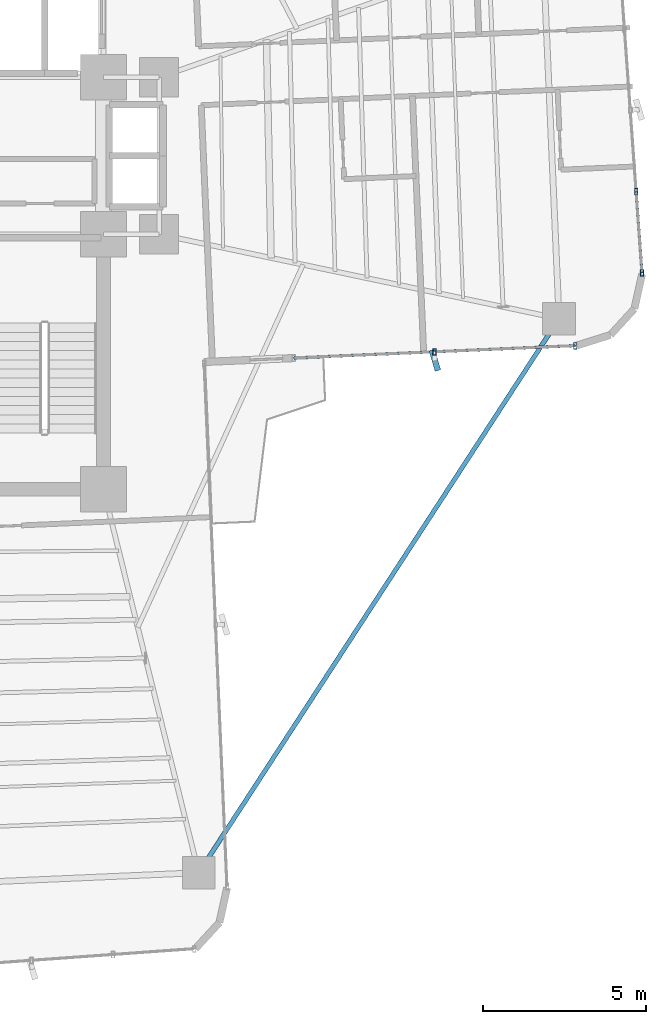
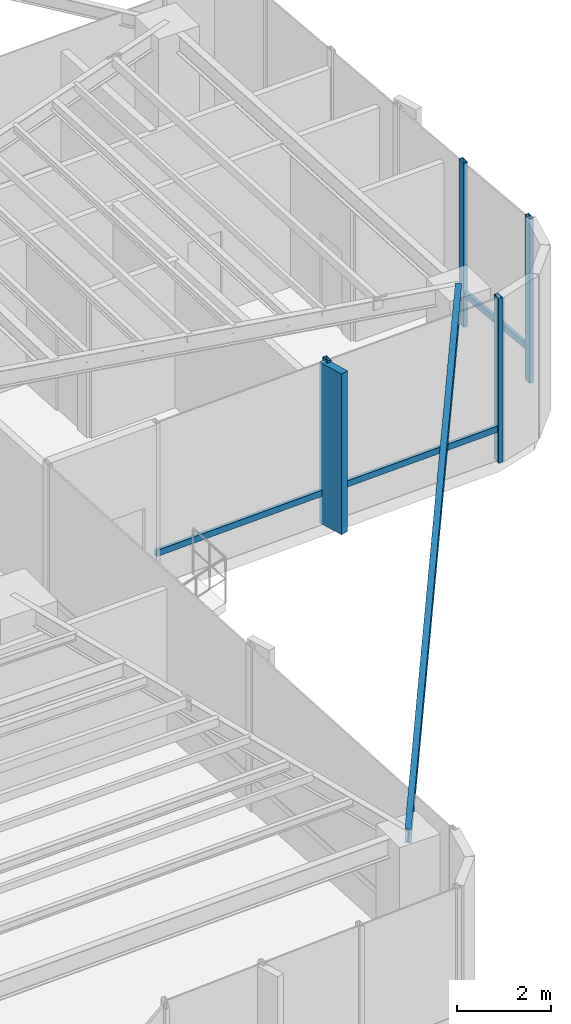
# One storey, part 8 of 23: 8 members, 1 beam, 2 elements without a shape of their own.
"""IFC4 building model written with IfcOpenShell, lengths in metres."""

import ifcopenshell
import ifcopenshell.guid

model = None  # the IFC model being written
_history = None  # IfcOwnerHistory: only IFC2X3 demands one
_inside = {}  # id of a spatial element -> (the spatial element, [elements in it])
_under = {}  # id of a project, library or spatial element -> (it, [spatial elements below it])
_declared = {}  # id of a project -> (the project, [libraries it declares])
_typed = {}  # id of a type object -> (the type object, [elements of that type])
_made_of = {}  # id of a material, layer set ... -> (it, [elements and type objects made of it])


def new_model(schema):
    """Start an empty IFC model of exactly this schema.

    Asked for "IFC4X3", IfcOpenShell would pick the latest addendum, in which some entities
    have other attributes; the version numbers below select the first issue.
    IFC2X3 requires an IfcOwnerHistory on every rooted entity: one is made here for all.
    """
    global model, _history
    if schema == "IFC4X3":
        model = ifcopenshell.file(schema_version=(4, 3, 0, 0))
    else:
        model = ifcopenshell.file(schema=schema)
    _inside.clear()
    _under.clear()
    _declared.clear()
    _typed.clear()
    _made_of.clear()
    _history = None
    if model.schema == "IFC2X3":
        org = make("IfcOrganization", Name="unknown")
        user = make(
            "IfcPersonAndOrganization",
            ThePerson=make("IfcPerson", FamilyName="unknown"),
            TheOrganization=org,
        )
        app = make(
            "IfcApplication",
            ApplicationDeveloper=org,
            Version="unknown",
            ApplicationFullName="unknown",
            ApplicationIdentifier="unknown",
        )
        _history = make(
            "IfcOwnerHistory",
            OwningUser=user,
            OwningApplication=app,
            ChangeAction="ADDED",
            CreationDate=0,
        )
    return model


def make(cls, **values):
    """One entity of the class cls with the attributes given. An attribute that is None is left unset."""
    return model.create_entity(
        cls, **{name: value for name, value in values.items() if value is not None}
    )


def rooted(cls, **values):
    """An entity with a GlobalId (a new one), such as an element, a storey or a relation."""
    return make(cls, GlobalId=ifcopenshell.guid.new(), OwnerHistory=_history, **values)


def si_unit(unit_type, name, prefix=None):
    """IfcSIUnit, for example si_unit("LENGTHUNIT", "METRE", prefix="MILLI")."""
    return make("IfcSIUnit", UnitType=unit_type, Prefix=prefix, Name=name)


def assignment(units):
    """IfcUnitAssignment: the units of a project."""
    return None if units is None else make("IfcUnitAssignment", Units=units)


def point(xyz):
    """IfcCartesianPoint."""
    return None if xyz is None else make("IfcCartesianPoint", Coordinates=xyz)


def direction(xyz):
    """IfcDirection."""
    return None if xyz is None else make("IfcDirection", DirectionRatios=xyz)


def frame(location, z_axis=None, x_axis=None):
    """IfcAxis2Placement3D, a coordinate frame: its origin and axes. An axis left out is left unset."""
    return make(
        "IfcAxis2Placement3D",
        Location=point(location),
        Axis=direction(z_axis),
        RefDirection=direction(x_axis),
    )


def frame_2d(location, x_axis=None):
    """IfcAxis2Placement2D, a coordinate frame in the plane: its origin and x axis."""
    return make(
        "IfcAxis2Placement2D", Location=point(location), RefDirection=direction(x_axis)
    )


def origin():
    """The frame at (0, 0, 0) with its axes left unset."""
    return frame((0.0, 0.0, 0.0))


def origin_2d():
    """The frame at (0, 0) in the plane with its x axis left unset."""
    return frame_2d((0.0, 0.0))


def place(relative_to, where):
    """IfcLocalPlacement: puts the frame where relative to a parent placement (None: the world)."""
    return make(
        "IfcLocalPlacement", PlacementRelTo=relative_to, RelativePlacement=where
    )


def context(
    kind, dimensions, precision=None, world=None, true_north=None, identifier=None
):
    """IfcGeometricRepresentationContext, for example the 3D "Model" context."""
    return make(
        "IfcGeometricRepresentationContext",
        ContextIdentifier=identifier,
        ContextType=kind,
        CoordinateSpaceDimension=dimensions,
        Precision=precision,
        WorldCoordinateSystem=world,
        TrueNorth=true_north,
    )


def subcontext(parent, identifier, kind, view, scale=None):
    """IfcGeometricRepresentationSubContext, for example "Body" below "Model"."""
    return make(
        "IfcGeometricRepresentationSubContext",
        ContextIdentifier=identifier,
        ContextType=kind,
        ParentContext=parent,
        TargetScale=scale,
        TargetView=view,
    )


def project(units=None, contexts=None):
    """IfcProject with its units and contexts."""
    return rooted(
        "IfcProject",
        Name="project",
        RepresentationContexts=contexts,
        UnitsInContext=assignment(units),
    )


def spatial(cls, under=None, at=None, **own):
    """A site, building, storey or space (cls), placed at a placement, below another one or the project."""
    s = rooted(cls, ObjectPlacement=at, **own)
    if under is not None:
        _under.setdefault(under.id(), (under, []))[1].append(s)
    return s


def profile(cls, at=None, kind="AREA", **sizes):
    """A parametric profile (cls). Its sizes go by their IFC names, for example OverallWidth=200.0."""
    return make(cls, ProfileType=kind, Position=at, **sizes)


def rectangle(**sizes):
    """IfcRectangleProfileDef."""
    return profile("IfcRectangleProfileDef", **sizes)


def hollow_rectangle(**sizes):
    """IfcRectangleHollowProfileDef."""
    return profile("IfcRectangleHollowProfileDef", **sizes)


def i_section(**sizes):
    """IfcIShapeProfileDef."""
    return profile("IfcIShapeProfileDef", **sizes)


def extrude(swept, where, along, depth):
    """IfcExtrudedAreaSolid: the profile swept, set in the frame where, extruded along a direction by depth."""
    return make(
        "IfcExtrudedAreaSolid",
        SweptArea=swept,
        Position=where,
        ExtrudedDirection=direction(along),
        Depth=depth,
    )


def shape(context_of_items, identifier, shape_type, items):
    """IfcShapeRepresentation: the items that make up one representation, for example the "Body"."""
    return make(
        "IfcShapeRepresentation",
        ContextOfItems=context_of_items,
        RepresentationIdentifier=identifier,
        RepresentationType=shape_type,
        Items=items,
    )


def source(mapping_origin, context_of_items, identifier, shape_type, items):
    """IfcRepresentationMap: a shape defined once, which mapped items show again and again."""
    return make(
        "IfcRepresentationMap",
        MappingOrigin=mapping_origin,
        MappedRepresentation=shape(context_of_items, identifier, shape_type, items),
    )


def transform(
    local_origin,
    x_axis=None,
    y_axis=None,
    z_axis=None,
    scale=None,
    scale2=None,
    scale3=None,
    uniform=True,
):
    """IfcCartesianTransformationOperator3D, or its non-uniform kind. x_axis, y_axis, z_axis: its Axis1, 2, 3."""
    if uniform:
        return make(
            "IfcCartesianTransformationOperator3D",
            Axis1=direction(x_axis),
            Axis2=direction(y_axis),
            LocalOrigin=point(local_origin),
            Scale=scale,
            Axis3=direction(z_axis),
        )
    return make(
        "IfcCartesianTransformationOperator3DnonUniform",
        Axis1=direction(x_axis),
        Axis2=direction(y_axis),
        LocalOrigin=point(local_origin),
        Scale=scale,
        Axis3=direction(z_axis),
        Scale2=scale2,
        Scale3=scale3,
    )


def mapped(mapping_source, mapping_target):
    """IfcMappedItem: shows the shape of a source again, moved by a transform."""
    return make(
        "IfcMappedItem", MappingSource=mapping_source, MappingTarget=mapping_target
    )


def material(Name=None, Category=None):
    """IfcMaterial."""
    return make("IfcMaterial", Name=Name, Category=Category)


def material_profile(
    of_material, cross_section, Name=None, Category=None, Priority=None
):
    """IfcMaterialProfile: a cross section and its material."""
    return make(
        "IfcMaterialProfile",
        Name=Name,
        Material=of_material,
        Profile=cross_section,
        Priority=Priority,
        Category=Category,
    )


def profile_set(profiles, Name=None, composite=None):
    """IfcMaterialProfileSet."""
    return make(
        "IfcMaterialProfileSet",
        Name=Name,
        MaterialProfiles=profiles,
        CompositeProfile=composite,
    )


def made_of(thing, what):
    """Note that an element or type object is made of a material, layer set ...; save() writes the relation."""
    if what is not None:
        _made_of.setdefault(what.id(), (what, []))[1].append(thing)
    return thing


def type_object(cls, material=None, **own):
    """A type object (cls), such as IfcWallType, which elements share."""
    return made_of(rooted(cls, **own), material)


def element(
    cls,
    number,
    at=None,
    inside=None,
    cuts=None,
    type_object=None,
    material=None,
    context=None,
    identifier="Body",
    shape_type=None,
    held_by="IfcProductDefinitionShape",
    body=None,
    shapes=None,
    **own,
):
    """One element of the class cls, such as IfcWall. Its Tag is "e" and its number.

    at: its placement. inside: the storey or other place that contains it. cuts: it is an
    opening in that element (IfcRelVoidsElement). A single representation is given by context,
    identifier, shape_type and body (its items); several are given by shapes. held_by: the class
    of the entity that holds the representations. save() writes the other relations.
    """
    e = rooted(cls, Tag="e%d" % number, ObjectPlacement=at, **own)
    if body is not None:
        shapes = [shape(context, identifier, shape_type, body)]
    if shapes is not None:
        e.Representation = make(held_by, Representations=shapes)
    if inside is not None:
        _inside.setdefault(inside.id(), (inside, []))[1].append(e)
    if cuts is not None:
        rooted(
            "IfcRelVoidsElement", RelatingBuildingElement=cuts, RelatedOpeningElement=e
        )
    if type_object is not None:
        _typed.setdefault(type_object.id(), (type_object, []))[1].append(e)
    return made_of(e, material)


def aggregate(whole, parts):
    """IfcRelAggregates: a whole, such as a stair, and the parts it consists of."""
    return rooted("IfcRelAggregates", RelatingObject=whole, RelatedObjects=parts)


def save(model, path):
    """Write the relations noted so far, then the file.

    IfcRelAggregates (storeys below a building ...), IfcRelContainedInSpatialStructure (elements
    in a storey), IfcRelDefinesByType, IfcRelAssociatesMaterial and IfcRelDeclares: one each for
    every whole, place, type object, material and project.
    """
    for whole, parts in _under.values():
        aggregate(whole, parts)
    for where, things in _inside.values():
        rooted(
            "IfcRelContainedInSpatialStructure",
            RelatedElements=things,
            RelatingStructure=where,
        )
    for kind, things in _typed.values():
        rooted("IfcRelDefinesByType", RelatedObjects=things, RelatingType=kind)
    for what, things in _made_of.values():
        rooted("IfcRelAssociatesMaterial", RelatedObjects=things, RelatingMaterial=what)
    for by, libraries in _declared.values():
        rooted("IfcRelDeclares", RelatingContext=by, RelatedDefinitions=libraries)
    model.write(path)


model = new_model("IFC4")

# Units and contexts
model_context = context("Model", 3, precision=1e-05, world=origin(), true_north=direction((0.0, 1.0)))
body_context = subcontext(model_context, "Body", "Model", "MODEL_VIEW")
ifc_project = project(units=[si_unit("LENGTHUNIT", "METRE"), si_unit("AREAUNIT", "SQUARE_METRE"), si_unit("VOLUMEUNIT", "CUBIC_METRE"), si_unit("PLANEANGLEUNIT", "RADIAN"), si_unit("MASSUNIT", "GRAM", prefix="KILO")], contexts=[model_context])

# Site, building, storey
site_placement = place(None, origin())
site = spatial("IfcSite", under=ifc_project, at=site_placement, CompositionType="ELEMENT")
building_placement = place(site_placement, origin())
building = spatial("IfcBuilding", under=site, at=building_placement, Name="Sahyath Konkavel Grand Hotel", CompositionType="ELEMENT")
storey_placement = place(building_placement, frame((0.0, 0.0, 106.949951171875)))
storey = spatial("IfcBuildingStorey", under=building, at=storey_placement, Name="L29", CompositionType="ELEMENT", Elevation=106.949951171875)

# Beam
ifc_material_1 = material(Name="Steel E350", Category="steel")
ifc_material_profile_1 = material_profile(ifc_material_1, i_section(OverallWidth=0.139892578125, OverallDepth=0.35009765625, WebThickness=0.008056640625, FlangeThickness=0.01416015625, FilletRadius=0.013916015625, at=origin_2d()), Name="ISMB 350")
ifc_profile_set_1 = profile_set([ifc_material_profile_1], Name="Steel E350")
beam_type = type_object("IfcBeamType", Name="BM-ISMB350", PredefinedType="BEAM", material=ifc_profile_set_1)
shared_shape_1 = source(origin(), body_context, "Body", "SweptSolid", [
    extrude(i_section(OverallWidth=0.139892578125, OverallDepth=0.35009765625, WebThickness=0.008056640625, FlangeThickness=0.01416015625, FilletRadius=0.013916015625, at=origin_2d()), origin(), (0.0, 0.0, 1.0), 20.21533203125),
])
beam_placement = place(storey_placement, frame((17.734130859375, -4.981201171875, 4.0849609375), z_axis=(-0.545191244931, -0.838311700056, 0.0), x_axis=(0.838311700056, -0.545191244931, 0.0)))
element("IfcBeam", 1, at=beam_placement, inside=storey, type_object=beam_type, Name="L29 Re-Entrant Tie Beam SE", PredefinedType="BEAM", context=body_context, shape_type="MappedRepresentation", body=[
    mapped(shared_shape_1, transform((0.0, 0.0, 0.0), scale=1.0)),
])

# Curtain wall, members
ifc_material_2 = material(Name="Anodised Bronze Aluminium & Low-E Glazing", Category="aluminium")
curtain_wall_type = type_object("IfcCurtainWallType", Name="CW-SKYLOBBY", PredefinedType="NOTDEFINED", material=ifc_material_2)
curtain_wall_1_placement = place(storey_placement, origin())
curtain_wall_1 = element("IfcCurtainWall", 2, at=curtain_wall_1_placement, inside=storey, type_object=curtain_wall_type, Name="L29 Unitised Curtain Wall F0", PredefinedType="NOTDEFINED")
ifc_material_3 = material(Name="Anodised Bronze Aluminium", Category="aluminium")
ifc_material_profile_2 = material_profile(ifc_material_3, hollow_rectangle(XDim=0.10009765625, YDim=0.199951171875, WallThickness=0.008056640625, at=origin_2d()), Name="RHS 200x100x8")
ifc_profile_set_2 = profile_set([ifc_material_profile_2], Name="Anodised Bronze Aluminium")
member_type_1 = type_object("IfcMemberType", Name="CW-MUL-200", PredefinedType="MULLION", material=ifc_profile_set_2)
shared_shape_2 = source(origin(), body_context, "Body", "SweptSolid", [
    extrude(hollow_rectangle(XDim=0.10009765625, YDim=0.199951171875, WallThickness=0.008056640625, at=origin_2d()), origin(), (0.0, 0.0, 1.0), 4.260009765625),
])
member_1_placement = place(storey_placement, frame((13.9248046875, -5.998291015625, 0.0), z_axis=(0.0, 0.0, 1.0), x_axis=(1.0, 0.0, 0.0)))
member_1 = element("IfcMember", 3, at=member_1_placement, type_object=member_type_1, Name="L29 Curtain Wall Mullion F0-1", PredefinedType="MULLION", context=body_context, shape_type="MappedRepresentation", body=[
    mapped(shared_shape_2, transform((0.0, 0.0, 0.0), scale=1.0)),
])
member_2_placement = place(storey_placement, frame((18.230712890625, -5.810302734375, 0.0), z_axis=(0.0, 0.0, 1.0), x_axis=(1.0, 0.0, 0.0)))
member_2 = element("IfcMember", 4, at=member_2_placement, type_object=member_type_1, Name="L29 Curtain Wall Mullion F0-2", PredefinedType="MULLION", context=body_context, shape_type="MappedRepresentation", body=[
    mapped(shared_shape_2, transform((0.0, 0.0, 0.0), scale=1.0)),
])

curtain_wall_2_placement = place(storey_placement, origin())
curtain_wall_2 = element("IfcCurtainWall", 5, at=curtain_wall_2_placement, inside=storey, type_object=curtain_wall_type, Name="L29 Unitised Curtain Wall F4", PredefinedType="NOTDEFINED")
member_3_placement = place(storey_placement, frame((20.2744140625, -3.5791015625, 0.0), z_axis=(0.0, 0.0, 1.0), x_axis=(1.0, 0.0, 0.0)))
member_3 = element("IfcMember", 6, at=member_3_placement, type_object=member_type_1, Name="L29 Curtain Wall Mullion F4-0", PredefinedType="MULLION", context=body_context, shape_type="MappedRepresentation", body=[
    mapped(shared_shape_2, transform((0.0, 0.0, 0.0), scale=1.0)),
])
member_4_placement = place(storey_placement, frame((20.095947265625, -1.092041015625, 0.0), z_axis=(0.0, 0.0, 1.0), x_axis=(1.0, 0.0, 0.0)))
member_4 = element("IfcMember", 7, at=member_4_placement, type_object=member_type_1, Name="L29 Curtain Wall Mullion F4-1", PredefinedType="MULLION", context=body_context, shape_type="MappedRepresentation", body=[
    mapped(shared_shape_2, transform((0.0, 0.0, 0.0), scale=1.0)),
])

# Member
ifc_material_4 = material(Name="Warm Buff Sandstone Cladding on Concrete C50/60", Category="masonry")
ifc_material_profile_3 = material_profile(ifc_material_4, rectangle(XDim=0.179931640625, YDim=0.64990234375, at=origin_2d()), Name="FIN 180x650")
ifc_profile_set_3 = profile_set([ifc_material_profile_3], Name="Warm Buff Sandstone Cladding on Concrete C50/60")
member_type_2 = type_object("IfcMemberType", Name="FIN-SANDSTONE-650", PredefinedType="MULLION", material=ifc_profile_set_3)
shared_shape_3 = source(origin(), body_context, "Body", "SweptSolid", [
    extrude(rectangle(XDim=0.179931640625, YDim=0.64990234375, at=origin_2d()), origin(), (0.0, 0.0, 1.0), 4.159912109375),
])
member_5_placement = place(storey_placement, frame((13.936279296875, -6.258056640625, 0.050048828125), z_axis=(0.0, 0.0, 1.0), x_axis=(0.958720536398, 0.28435001862, 0.0)))
member_5 = element("IfcMember", 8, at=member_5_placement, type_object=member_type_2, Name="L29 Sandstone Vertical Solar Fin FIN F0-1", PredefinedType="MULLION", context=body_context, shape_type="MappedRepresentation", body=[
    mapped(shared_shape_3, transform((0.0, 0.0, 0.0), scale=1.0)),
])

ifc_material_profile_4 = material_profile(ifc_material_3, hollow_rectangle(XDim=0.080078125, YDim=0.159912109375, WallThickness=0.006103515625, at=origin_2d()), Name="RHS 160x80x6")
ifc_profile_set_4 = profile_set([ifc_material_profile_4], Name="Anodised Bronze Aluminium")
member_type_3 = type_object("IfcMemberType", Name="CW-TRN-160", PredefinedType="USERDEFINED", material=ifc_profile_set_4)
shared_shape_4 = source(origin(), body_context, "Body", "SweptSolid", [
    extrude(hollow_rectangle(XDim=0.080078125, YDim=0.159912109375, WallThickness=0.006103515625, at=origin_2d()), origin(), (0.0, 0.0, 1.0), 4.31005859375),
])
member_6_placement = place(storey_placement, frame((9.618896484375, -6.186279296875, 0.85009765625), z_axis=(0.999048340188, 0.043616670746, 0.0), x_axis=(-0.043616670746, 0.999048340188, 0.0)))
member_6 = element("IfcMember", 9, at=member_6_placement, type_object=member_type_3, Name="L29 Curtain Wall Transom F0-0-spandrel", ObjectType="TRANSOM", PredefinedType="USERDEFINED", context=body_context, shape_type="MappedRepresentation", body=[
    mapped(shared_shape_4, transform((0.0, 0.0, 0.0), scale=1.0)),
])

member_7_placement = place(storey_placement, frame((13.9248046875, -5.998291015625, 0.85009765625), z_axis=(0.999048340188, 0.043616670746, 0.0), x_axis=(-0.043616670746, 0.999048340188, 0.0)))
member_7 = element("IfcMember", 10, at=member_7_placement, type_object=member_type_3, Name="L29 Curtain Wall Transom F0-1-spandrel", ObjectType="TRANSOM", PredefinedType="USERDEFINED", context=body_context, shape_type="MappedRepresentation", body=[
    mapped(shared_shape_4, transform((0.0, 0.0, 0.0), scale=1.0)),
])

aggregate(curtain_wall_1, [member_1, member_5, member_2, member_6, member_7])

shared_shape_5 = source(origin(), body_context, "Body", "SweptSolid", [
    extrude(hollow_rectangle(XDim=0.080078125, YDim=0.159912109375, WallThickness=0.006103515625, at=origin_2d()), origin(), (0.0, 0.0, 1.0), 2.493408203125),
])
member_8_placement = place(storey_placement, frame((20.2744140625, -3.5791015625, 0.85009765625), z_axis=(-0.071574084062, 0.997435286367, 0.0), x_axis=(-0.997435286367, -0.071574084062, 0.0)))
member_8 = element("IfcMember", 11, at=member_8_placement, type_object=member_type_3, Name="L29 Curtain Wall Transom F4-0-spandrel", ObjectType="TRANSOM", PredefinedType="USERDEFINED", context=body_context, shape_type="MappedRepresentation", body=[
    mapped(shared_shape_5, transform((0.0, 0.0, 0.0), scale=1.0)),
])

aggregate(curtain_wall_2, [member_3, member_4, member_8])

save(model, "model.ifc")
